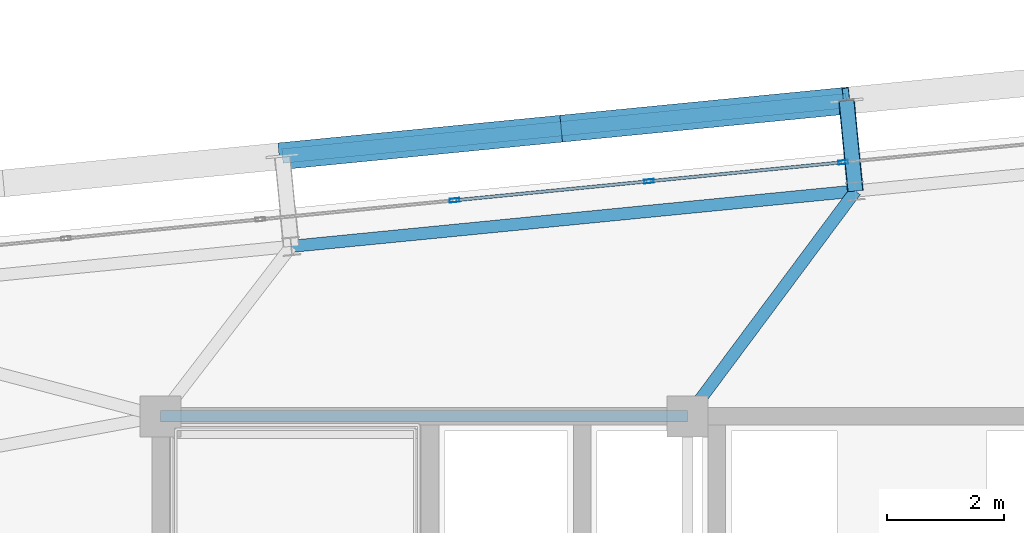
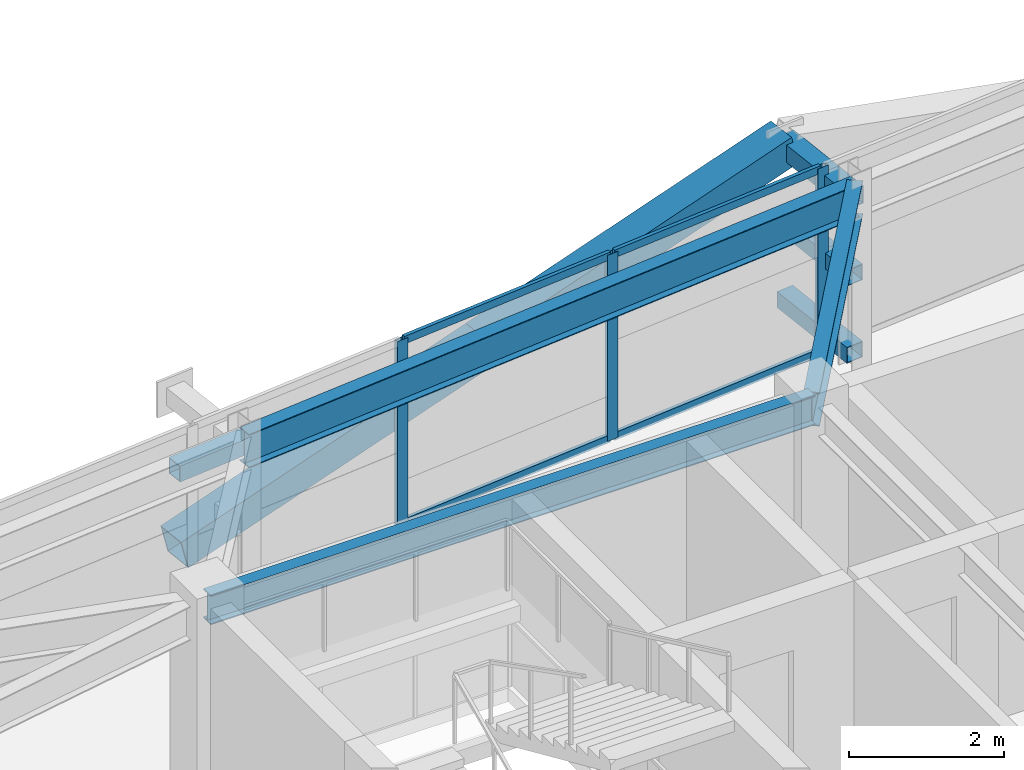
# One storey, part 29 of 54: 13 members, 3 beams, 1 element without a shape of its own.
"""IFC4 building model written with IfcOpenShell, lengths in metres."""

from ifc_helpers import new_model, si_unit, direction, frame, origin, origin_2d, place, context, subcontext, project, spatial, hollow_rectangle, i_section, extrude, source, transform, mapped, material, layer, layer_set, material_profile, profile_set, type_object, element, aggregate, save


model = new_model("IFC4")

# Units and contexts
model_context = context("Model", 3, precision=1e-05, world=origin(), true_north=direction((0.0, 1.0)))
body_context = subcontext(model_context, "Body", "Model", "MODEL_VIEW")
ifc_project = project(units=[si_unit("LENGTHUNIT", "METRE"), si_unit("AREAUNIT", "SQUARE_METRE"), si_unit("VOLUMEUNIT", "CUBIC_METRE"), si_unit("PLANEANGLEUNIT", "RADIAN"), si_unit("MASSUNIT", "GRAM", prefix="KILO")], contexts=[model_context])

# Site, building, storey
site_placement = place(None, origin())
site = spatial("IfcSite", under=ifc_project, at=site_placement, CompositionType="ELEMENT")
building_placement = place(site_placement, origin())
building = spatial("IfcBuilding", under=site, at=building_placement, Name="Taldren Reach Tower", CompositionType="ELEMENT")
storey_placement = place(building_placement, frame((0.0, 0.0, 102.89990234375)))
storey = spatial("IfcBuildingStorey", under=building, at=storey_placement, Name="L31", CompositionType="ELEMENT", Elevation=102.89990234375)

# Beam
ifc_material_1 = material(Name="Steel Gr 350 (350PLUS)", Category="steel")
ifc_material_profile_1 = material_profile(ifc_material_1, i_section(OverallWidth=0.19091796875, OverallDepth=0.4599609375, WebThickness=0.010009765625, FlangeThickness=0.01611328125, at=origin_2d()), Name="460UB82.1")
ifc_profile_set_1 = profile_set([ifc_material_profile_1], Name="Steel Gr 350 (350PLUS)")
beam_type_1 = type_object("IfcBeamType", Name="BM-UB460A", PredefinedType="BEAM", material=ifc_profile_set_1)
shared_shape_1 = source(origin(), body_context, "Body", "SweptSolid", [
    extrude(i_section(OverallWidth=0.19091796875, OverallDepth=0.4599609375, WebThickness=0.010009765625, FlangeThickness=0.01611328125, at=origin_2d()), origin(), (0.0, 0.0, 1.0), 9.0),
])
beam_1_placement = place(storey_placement, frame((19.0, 32.0, 2.7001953125), z_axis=(1.0, 0.0, 0.0), x_axis=(0.0, 1.0, 0.0)))
element("IfcBeam", 1, at=beam_1_placement, inside=storey, type_object=beam_type_1, Name="Core-spine girder L31-SP04", PredefinedType="BEAM", context=body_context, shape_type="MappedRepresentation", body=[
    mapped(shared_shape_1, transform((0.0, 0.0, 0.0), scale=1.0)),
])

# Members
ifc_material_2 = material(Name="Steel Gr 450 (C450L0)", Category="steel")
ifc_material_profile_2 = material_profile(ifc_material_2, hollow_rectangle(XDim=0.27490234375, YDim=0.27490234375, WallThickness=0.00927734375, at=origin_2d()), Name="275x275x9.3SHS")
ifc_profile_set_2 = profile_set([ifc_material_profile_2], Name="Steel Gr 450 (C450L0)")
member_type_1 = type_object("IfcMemberType", Name="MB-TIE273", PredefinedType="STRUT", material=ifc_profile_set_2)
shared_shape_2 = source(origin(), body_context, "Body", "SweptSolid", [
    extrude(hollow_rectangle(XDim=0.27490234375, YDim=0.27490234375, WallThickness=0.00927734375, at=origin_2d()), origin(), (0.0, 0.0, 1.0), 1.5498046875),
])
member_1_placement = place(storey_placement, frame((30.864501953125, 35.84619140625, 2.650146484375), z_axis=(-0.097663201064, 0.995219523099, 0.0), x_axis=(-0.995219523099, -0.097663201064, 0.0)))
element("IfcMember", 2, at=member_1_placement, inside=storey, type_object=member_type_1, Name="Exoskeleton diaphragm tie strut B2-N3 L31", PredefinedType="STRUT", context=body_context, shape_type="MappedRepresentation", body=[
    mapped(shared_shape_2, transform((0.0, 0.0, 0.0), scale=1.0)),
])
ifc_material_3 = material(Name="Steel Gr 350 (C350L0)", Category="steel")
ifc_material_profile_3 = material_profile(ifc_material_3, hollow_rectangle(XDim=0.25, YDim=0.25, WallThickness=0.010009765625, at=origin_2d()), Name="250x250x10.0SHS")
ifc_profile_set_3 = profile_set([ifc_material_profile_3], Name="Steel Gr 350 (C350L0)")
member_type_2 = type_object("IfcMemberType", Name="MB-POST250", PredefinedType="POST", material=ifc_profile_set_3)
shared_shape_3 = source(origin(), body_context, "Body", "SweptSolid", [
    extrude(hollow_rectangle(XDim=0.25, YDim=0.25, WallThickness=0.010009765625, at=origin_2d()), origin(), (0.0, 0.0, 1.0), 1.5498046875),
])
for number, where, z_axis, x_axis, name in (
    (3, (30.864501953125, 35.84619140625, 0.22021484375), (-0.097663201064, 0.995219523099, 0.0), (-0.995219523099, -0.097663201064, 0.0), "Exoskeleton base diaphragm tie strut B2-N3 L31"),
    (4, (30.864501953125, 35.84619140625, 1.43505859375), (-0.097663201064, 0.995219523099, 0.0), (-0.995219523099, -0.097663201064, 0.0), "Exoskeleton mid-tier diaphragm tie B2-N3 L31"),
):
    element("IfcMember", number, at=place(storey_placement, frame(where, z_axis=z_axis, x_axis=x_axis)), inside=storey, type_object=member_type_2, Name=name, PredefinedType="POST", context=body_context, shape_type="MappedRepresentation", body=[
        mapped(shared_shape_3, transform((0.0, 0.0, 0.0), scale=1.0)),
    ])

# Beams
ifc_material_profile_4 = material_profile(ifc_material_1, i_section(OverallWidth=0.208984375, OverallDepth=0.528076171875, WebThickness=0.009521484375, FlangeThickness=0.01318359375, at=origin_2d()), Name="530UB82.0")
ifc_profile_set_4 = profile_set([ifc_material_profile_4], Name="Steel Gr 350 (350PLUS)")
beam_type_2 = type_object("IfcBeamType", Name="SP-UB530B", PredefinedType="SPANDREL", material=ifc_profile_set_4)
shared_shape_4 = source(origin(), body_context, "Body", "SweptSolid", [
    extrude(i_section(OverallWidth=0.208984375, OverallDepth=0.528076171875, WebThickness=0.009521484375, FlangeThickness=0.01318359375, at=origin_2d()), origin(), (0.0, 0.0, 1.0), 9.679931640625),
])
beam_2_placement = place(storey_placement, frame((30.864501953125, 35.84619140625, 2.666015625), z_axis=(-0.995225162995, -0.097605711627, 0.0), x_axis=(0.097605711627, -0.995225162995, 0.0)))
element("IfcBeam", 5, at=beam_2_placement, inside=storey, type_object=beam_type_2, Name="Perimeter spandrel B2 N3-N2 L31", PredefinedType="SPANDREL", context=body_context, shape_type="MappedRepresentation", body=[
    mapped(shared_shape_4, transform((0.0, 0.0, 0.0), scale=1.0)),
])
ifc_material_profile_5 = material_profile(ifc_material_1, i_section(OverallWidth=0.208984375, OverallDepth=0.532958984375, WebThickness=0.01025390625, FlangeThickness=0.015625, at=origin_2d()), Name="530UB92.4")
ifc_profile_set_5 = profile_set([ifc_material_profile_5], Name="Steel Gr 350 (350PLUS)")
beam_type_3 = type_object("IfcBeamType", Name="BM-UB530A", PredefinedType="BEAM", material=ifc_profile_set_5)
shared_shape_5 = source(origin(), body_context, "Body", "SweptSolid", [
    extrude(i_section(OverallWidth=0.208984375, OverallDepth=0.532958984375, WebThickness=0.01025390625, FlangeThickness=0.015625, at=origin_2d()), origin(), (0.0, 0.0, 1.0), 4.795654296875),
])
beam_3_placement = place(storey_placement, frame((28.0, 32.0, 2.66357421875), z_axis=(0.59730864792, 0.802011458223, 0.0), x_axis=(-0.802011458223, 0.59730864792, 0.0)))
element("IfcBeam", 6, at=beam_3_placement, inside=storey, type_object=beam_type_3, Name="Primary floor girder B2-N3 L31", PredefinedType="BEAM", context=body_context, shape_type="MappedRepresentation", body=[
    mapped(shared_shape_5, transform((0.0, 0.0, 0.0), scale=1.0)),
])

# Members
ifc_material_profile_6 = material_profile(ifc_material_2, hollow_rectangle(XDim=0.4599609375, YDim=0.4599609375, WallThickness=0.01611328125, at=origin_2d()), Name="460x460x16.0SHS")
ifc_profile_set_6 = profile_set([ifc_material_profile_6], Name="Steel Gr 450 (C450L0)")
member_type_3 = type_object("IfcMemberType", Name="MB-EXO457", PredefinedType="BRACE", material=ifc_profile_set_6)
shared_shape_6 = source(origin(), body_context, "Body", "SweptSolid", [
    extrude(hollow_rectangle(XDim=0.4599609375, YDim=0.4599609375, WallThickness=0.01611328125, at=origin_2d()), origin(), (0.0, 0.0, 1.0), 4.990234375),
])
for number, where, z_axis, x_axis, name in (
    (7, (21.079345703125, 36.444091796875, 0.22021484375), (0.965282554799, 0.094669120301, 0.243448859234), (-0.097605711627, 0.995225162995, 0.0), "Exoskeleton Diagrid Brace B2-N2 L31"),
    (8, (25.896240234375, 36.91650390625, 1.43505859375), (0.965275526283, 0.094619506732, 0.243496010862), (-0.097555749586, 0.995230061706, 0.0), "Exoskeleton Diagrid Brace B2-N2 L31"),
):
    element("IfcMember", number, at=place(storey_placement, frame(where, z_axis=z_axis, x_axis=x_axis)), inside=storey, type_object=member_type_3, Name=name, PredefinedType="BRACE", context=body_context, shape_type="MappedRepresentation", body=[
        mapped(shared_shape_6, transform((0.0, 0.0, 0.0), scale=1.0)),
    ])
shared_shape_7 = source(origin(), body_context, "Body", "SweptSolid", [
    extrude(hollow_rectangle(XDim=0.25, YDim=0.25, WallThickness=0.010009765625, at=origin_2d()), origin(), (0.0, 0.0, 1.0), 9.679931640625),
])
member_2_placement = place(storey_placement, frame((21.079345703125, 36.444091796875, 1.43505859375), z_axis=(0.995227612658, 0.097580730699, 0.0), x_axis=(-0.097580730699, 0.995227612658, 0.0)))
element("IfcMember", 9, at=member_2_placement, inside=storey, type_object=member_type_2, Name="Exoskeleton mid-height ring chord B2-N2 L31", PredefinedType="POST", context=body_context, shape_type="MappedRepresentation", body=[
    mapped(shared_shape_7, transform((0.0, 0.0, 0.0), scale=1.0)),
])

# Curtain wall, members
ifc_material_4 = material(Name="Aluminium and Low-E Glass Unitised System", Category="aluminium")
ifc_layer = layer(ifc_material_4, 0.159912109375)
ifc_layer_set = layer_set([ifc_layer], Name="Aluminium and Low-E Glass Unitised System")
curtain_wall_type = type_object("IfcCurtainWallType", Name="CW-SYS-3", PredefinedType="NOTDEFINED", material=ifc_layer_set)
curtain_wall_placement = place(storey_placement, origin())
curtain_wall = element("IfcCurtainWall", 10, at=curtain_wall_placement, inside=storey, type_object=curtain_wall_type, Name="Unitised curtain wall CW-L31-N", PredefinedType="NOTDEFINED")
ifc_material_5 = material(Name="Anodised Aluminium 6063-T6", Category="aluminium")
ifc_material_profile_7 = material_profile(ifc_material_5, hollow_rectangle(XDim=0.06494140625, YDim=0.1650390625, WallThickness=0.00390625, at=origin_2d()), Name="ALU-165x65x4RHS")
ifc_profile_set_7 = profile_set([ifc_material_profile_7], Name="Anodised Aluminium 6063-T6")
member_type_4 = type_object("IfcMemberType", Name="CW-MUL-165", PredefinedType="MULLION", material=ifc_profile_set_7)
shared_shape_8 = source(origin(), body_context, "Body", "SweptSolid", [
    extrude(hollow_rectangle(XDim=0.06494140625, YDim=0.1650390625, WallThickness=0.00390625, at=origin_2d()), origin(), (0.0, 0.0, 1.0), 2.93017578125),
])
member_3_placement = place(storey_placement, frame((30.655517578125, 36.338134765625, 0.0), z_axis=(0.0, 0.0, 1.0), x_axis=(0.097582999046, -0.995227390247, 0.0)))
member_3 = element("IfcMember", 11, at=member_3_placement, type_object=member_type_4, Name="CW-3 mullion 10", PredefinedType="MULLION", context=body_context, shape_type="MappedRepresentation", body=[
    mapped(shared_shape_8, transform((0.0, 0.0, 0.0), scale=1.0)),
])
member_4_placement = place(storey_placement, frame((27.337890625, 36.0126953125, 0.0), z_axis=(0.0, 0.0, 1.0), x_axis=(0.097582999046, -0.995227390247, 0.0)))
member_4 = element("IfcMember", 12, at=member_4_placement, type_object=member_type_4, Name="CW-3 mullion 11", PredefinedType="MULLION", context=body_context, shape_type="MappedRepresentation", body=[
    mapped(shared_shape_8, transform((0.0, 0.0, 0.0), scale=1.0)),
])
member_5_placement = place(storey_placement, frame((24.0205078125, 35.6875, 0.0), z_axis=(0.0, 0.0, 1.0), x_axis=(0.097582999046, -0.995227390247, 0.0)))
member_5 = element("IfcMember", 13, at=member_5_placement, type_object=member_type_4, Name="CW-3 mullion 12", PredefinedType="MULLION", context=body_context, shape_type="MappedRepresentation", body=[
    mapped(shared_shape_8, transform((0.0, 0.0, 0.0), scale=1.0)),
])
ifc_material_profile_8 = material_profile(ifc_material_5, hollow_rectangle(XDim=0.054931640625, YDim=0.1201171875, WallThickness=0.0029296875, at=origin_2d()), Name="ALU-120x55x3RHS")
ifc_profile_set_8 = profile_set([ifc_material_profile_8], Name="Anodised Aluminium 6063-T6")
member_type_5 = type_object("IfcMemberType", Name="CW-TRN-135", PredefinedType="USERDEFINED", material=ifc_profile_set_8)
shared_shape_9 = source(origin(), body_context, "Body", "SweptSolid", [
    extrude(hollow_rectangle(XDim=0.054931640625, YDim=0.1201171875, WallThickness=0.0029296875, at=origin_2d()), origin(), (0.0, 0.0, 1.0), 3.268310546875),
])
member_6_placement = place(storey_placement, frame((30.623046875, 36.3349609375, 0.027587890625), z_axis=(-0.995222549564, -0.097632355496, 0.0), x_axis=(0.097632355496, -0.995222549564, 0.0)))
member_6 = element("IfcMember", 14, at=member_6_placement, type_object=member_type_5, Name="CW-3 transom 10.1", ObjectType="TRANSOM", PredefinedType="USERDEFINED", context=body_context, shape_type="MappedRepresentation", body=[
    mapped(shared_shape_9, transform((0.0, 0.0, 0.0), scale=1.0)),
])
member_7_placement = place(storey_placement, frame((30.623046875, 36.3349609375, 2.902587890625), z_axis=(-0.995222549564, -0.097632355496, 0.0), x_axis=(0.097632355496, -0.995222549564, 0.0)))
member_7 = element("IfcMember", 15, at=member_7_placement, type_object=member_type_5, Name="CW-3 transom 10.2", ObjectType="TRANSOM", PredefinedType="USERDEFINED", context=body_context, shape_type="MappedRepresentation", body=[
    mapped(shared_shape_9, transform((0.0, 0.0, 0.0), scale=1.0)),
])
member_8_placement = place(storey_placement, frame((27.3056640625, 36.009521484375, 0.027587890625), z_axis=(-0.99522980512, -0.097558367146, 0.0), x_axis=(0.097558367146, -0.99522980512, 0.0)))
member_8 = element("IfcMember", 16, at=member_8_placement, type_object=member_type_5, Name="CW-3 transom 11.1", ObjectType="TRANSOM", PredefinedType="USERDEFINED", context=body_context, shape_type="MappedRepresentation", body=[
    mapped(shared_shape_9, transform((0.0, 0.0, 0.0), scale=1.0)),
])
member_9_placement = place(storey_placement, frame((27.3056640625, 36.009521484375, 2.902587890625), z_axis=(-0.99522980512, -0.097558367146, 0.0), x_axis=(0.097558367146, -0.99522980512, 0.0)))
member_9 = element("IfcMember", 17, at=member_9_placement, type_object=member_type_5, Name="CW-3 transom 11.2", ObjectType="TRANSOM", PredefinedType="USERDEFINED", context=body_context, shape_type="MappedRepresentation", body=[
    mapped(shared_shape_9, transform((0.0, 0.0, 0.0), scale=1.0)),
])
aggregate(curtain_wall, [member_3, member_4, member_5, member_6, member_7, member_8, member_9])

save(model, "model.ifc")
